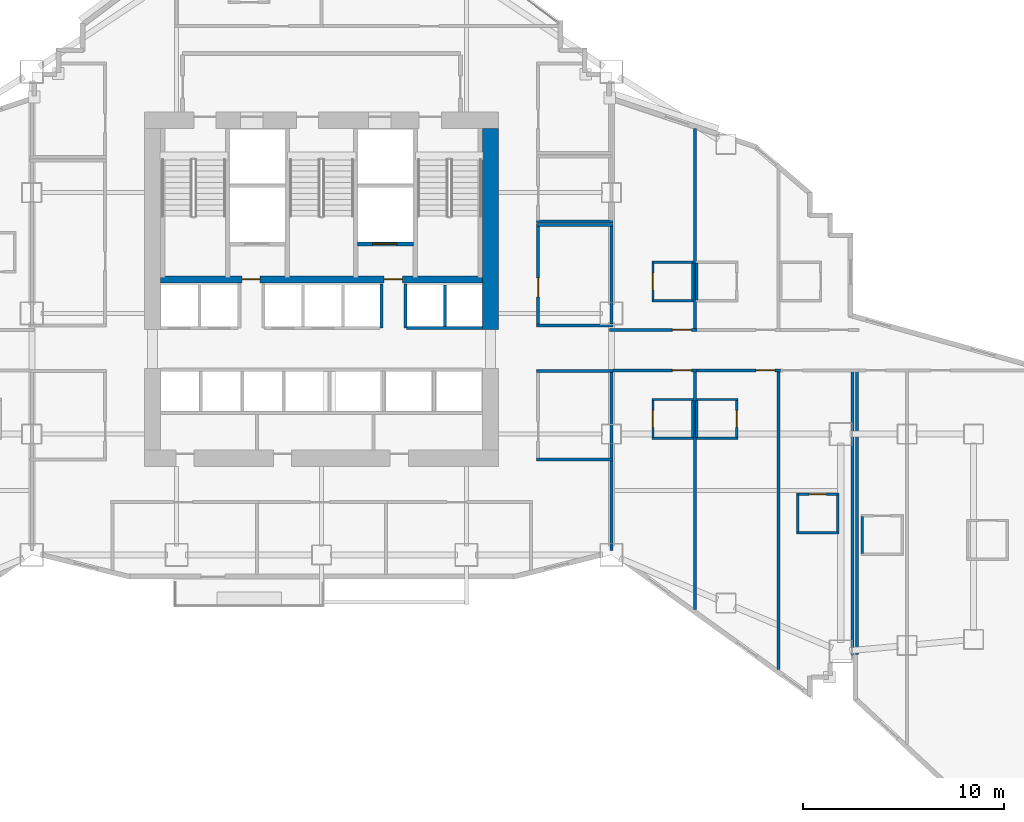
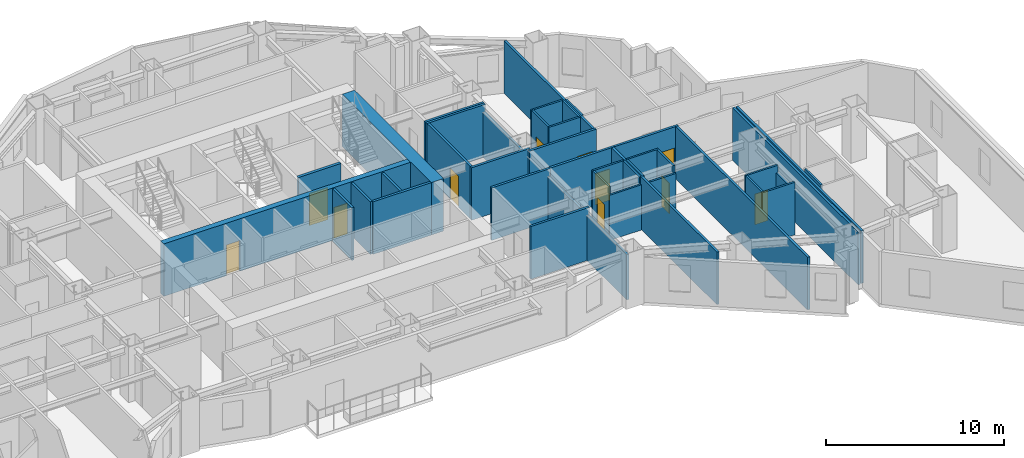
# One storey, part 10 of 16: 42 walls, 11 doors, 11 openings.
"""IFC4 building model written with IfcOpenShell, lengths in metres."""

from ifc_helpers import new_model, si_unit, direction, frame, frame_2d, origin, place, context, subcontext, project, spatial, rectangle, extrude, material, layer, layer_set, type_object, element, fill, save


model = new_model("IFC4")

# Units and contexts
model_context = context("Model", 3, precision=1e-05, world=origin(), true_north=direction((0.0, 1.0)))
body_context = subcontext(model_context, "Body", "Model", "MODEL_VIEW")
ifc_project = project(units=[si_unit("LENGTHUNIT", "METRE"), si_unit("AREAUNIT", "SQUARE_METRE"), si_unit("VOLUMEUNIT", "CUBIC_METRE"), si_unit("PLANEANGLEUNIT", "RADIAN"), si_unit("MASSUNIT", "GRAM", prefix="KILO")], contexts=[model_context])

# Site, building, storey
site_placement = place(None, origin())
site = spatial("IfcSite", under=ifc_project, at=site_placement, CompositionType="ELEMENT")
building_placement = place(site_placement, origin())
building = spatial("IfcBuilding", under=site, at=building_placement, Name="Haolan Belvedere Tower", CompositionType="ELEMENT")
storey_placement = place(building_placement, frame((0.0, 0.0, 78.0)))
storey = spatial("IfcBuildingStorey", under=building, at=storey_placement, Name="L19", CompositionType="ELEMENT", Elevation=78.0)

# Walls
ifc_material_1 = material(Name="Concrete C70/85", Category="concrete")
ifc_layer_1 = layer(ifc_material_1, 0.800048828125, Name="Concrete C70/85")
ifc_layer_set_1 = layer_set([ifc_layer_1], Name="Concrete C70/85")
wall_type_1 = type_object("IfcWallType", Name="WL-CORE-800", PredefinedType="SHEAR", material=ifc_layer_set_1)
wall_1_placement = place(storey_placement, frame((46.800048828125, 32.800048828125, 0.0), z_axis=(0.0, 0.0, 1.0), x_axis=(0.0, 1.0, 0.0)))
element("IfcWall", 1, at=wall_1_placement, inside=storey, type_object=wall_type_1, Name="L19 central core shear wall EN", PredefinedType="SHEAR", context=body_context, shape_type="SweptSolid", body=[
    extrude(rectangle(XDim=10.0, YDim=0.800048828125, at=frame_2d((5.0, 0.0))), origin(), (0.0, 0.0, 1.0), 3.60009765625),
])
ifc_material_2 = material(Name="Double gypsum acoustic stud partition", Category="masonry")
ifc_layer_2 = layer(ifc_material_2, 0.14990234375, Name="Double gypsum acoustic stud partition")
ifc_layer_set_2 = layer_set([ifc_layer_2], Name="Double gypsum acoustic stud partition")
wall_type_2 = type_object("IfcWallType", Name="WL-PART-150", PredefinedType="PARTITIONING", material=ifc_layer_set_2)
for number, where, z_axis, x_axis, name in (
    (2, (49.080078125, 38.0, 0.0), (0.0, 0.0, 1.0), (1.0, 0.0, 0.0), "L19 interior partition IW-L19-BPN-N"),
    (3, (49.080078125, 33.0, 0.0), (0.0, 0.0, 1.0), (1.0, 0.0, 0.0), "L19 interior partition IW-L19-BPN-S"),
):
    element("IfcWall", number, at=place(storey_placement, frame(where, z_axis=z_axis, x_axis=x_axis)), inside=storey, type_object=wall_type_2, Name=name, PredefinedType="PARTITIONING", context=body_context, shape_type="SweptSolid", body=[
        extrude(rectangle(XDim=3.7998046875, YDim=0.14990234375, at=frame_2d((1.89990234375, 0.0))), origin(), (0.0, 0.0, 1.0), 3.60009765625),
    ])

# Wall, opening, door
wall_2_placement = place(storey_placement, frame((49.159912109375, 33.06005859375, 0.0), z_axis=(0.0, 0.0, 1.0), x_axis=(0.0, 1.0, 0.0)))
wall_2 = element("IfcWall", 4, at=wall_2_placement, inside=storey, type_object=wall_type_2, Name="L19 interior partition IW-L19-BPN-W", PredefinedType="PARTITIONING", context=body_context, shape_type="SweptSolid", body=[
    extrude(rectangle(XDim=4.8798828125, YDim=0.14990234375, at=frame_2d((2.43994140625, 0.0))), origin(), (0.0, 0.0, 1.0), 3.60009765625),
])
opening_1_placement = place(wall_2_placement, frame((1.360107421875, 0.0, 0.0)))
opening_1 = element("IfcOpeningElement", 5, at=opening_1_placement, cuts=wall_2, Name="Opening ID-03", PredefinedType="OPENING", context=body_context, shape_type="SweptSolid", body=[
    extrude(rectangle(XDim=0.949951171875, YDim=2.1201171875, at=frame_2d((0.47509765625, 1.06005859375))), frame((0.0, 0.0849609375, 0.0), z_axis=(0.0, -1.0, 0.0), x_axis=(1.0, 0.0, 0.0)), (0.0, 0.0, 1.0), 0.169921875),
])
ifc_material_3 = material(Name="Painted solid-core timber", Category="wood")
door_type_1 = type_object("IfcDoorType", Name="DR-INT-950", OperationType="NOTDEFINED", PredefinedType="DOOR", material=ifc_material_3)
door_1_placement = place(opening_1_placement, origin())
door_1 = element("IfcDoor", 6, at=door_1_placement, inside=storey, type_object=door_type_1, Name="L19 door ID-L19-BPN", OperationType="SINGLE_SWING_RIGHT", OverallHeight=2.1201171875, OverallWidth=0.949951171875, PredefinedType="DOOR", context=body_context, shape_type="SweptSolid", body=[
    extrude(rectangle(XDim=0.949951171875, YDim=2.1201171875, at=frame_2d((0.47509765625, 1.06005859375))), frame((0.0, 0.02490234375, 0.0), z_axis=(0.0, -1.0, 0.0), x_axis=(1.0, 0.0, 0.0)), (0.0, 0.0, 1.0), 0.050048828125),
])
fill(opening_1, door_1)

# Walls
wall_3_placement = place(storey_placement, frame((52.800048828125, 33.06005859375, 0.0), z_axis=(0.0, 0.0, 1.0), x_axis=(0.0, 1.0, 0.0)))
element("IfcWall", 7, at=wall_3_placement, inside=storey, type_object=wall_type_2, Name="L19 interior partition IW-L19-BPN-E", PredefinedType="PARTITIONING", context=body_context, shape_type="SweptSolid", body=[
    extrude(rectangle(XDim=4.8798828125, YDim=0.14990234375, at=frame_2d((2.43994140625, 0.0))), origin(), (0.0, 0.0, 1.0), 3.096923828125),
])
for number, where, z_axis, x_axis, name in (
    (8, (49.080078125, 38.159912109375, 0.0), (0.0, 0.0, 1.0), (1.0, 0.0, 0.0), "L19 interior partition IW-L19-AWC-S"),
    (9, (49.080078125, 30.72998046875, 0.0), (0.0, 0.0, 1.0), (1.0, 0.0, 0.0), "L19 interior partition IW-L19-PKTE-N"),
    (10, (49.080078125, 26.35009765625, 0.0), (0.0, 0.0, 1.0), (1.0, 0.0, 0.0), "L19 interior partition IW-L19-PKTE-S"),
):
    element("IfcWall", number, at=place(storey_placement, frame(where, z_axis=z_axis, x_axis=x_axis)), inside=storey, type_object=wall_type_2, Name=name, PredefinedType="PARTITIONING", context=body_context, shape_type="SweptSolid", body=[
        extrude(rectangle(XDim=3.7998046875, YDim=0.14990234375, at=frame_2d((1.89990234375, 0.0))), origin(), (0.0, 0.0, 1.0), 3.60009765625),
    ])
wall_4_placement = place(storey_placement, frame((52.800048828125, 26.409912109375, 0.0), z_axis=(0.0, 0.0, 1.0), x_axis=(0.0, 1.0, 0.0)))
element("IfcWall", 11, at=wall_4_placement, inside=storey, type_object=wall_type_2, Name="L19 interior partition IW-L19-PKTE-E", PredefinedType="PARTITIONING", context=body_context, shape_type="SweptSolid", body=[
    extrude(rectangle(XDim=4.260009765625, YDim=0.14990234375, at=frame_2d((2.1298828125, 0.0))), origin(), (0.0, 0.0, 1.0), 3.096923828125),
])

# Wall, opening, door
wall_5_placement = place(storey_placement, frame((52.699951171875, 32.780029296875, 0.0), z_axis=(0.0, 0.0, 1.0), x_axis=(1.0, 0.0, 0.0)))
wall_5 = element("IfcWall", 12, at=wall_5_placement, inside=storey, type_object=wall_type_2, Name="L19 interior partition IW-L19-T4N1-S", PredefinedType="PARTITIONING", context=body_context, shape_type="SweptSolid", body=[
    extrude(rectangle(XDim=4.35009765625, YDim=0.14990234375, at=frame_2d((2.175048828125, 0.0))), origin(), (0.0, 0.0, 1.0), 3.60009765625),
])
opening_2_placement = place(wall_5_placement, frame((3.1298828125, 0.0, 0.0)))
opening_2 = element("IfcOpeningElement", 13, at=opening_2_placement, cuts=wall_5, Name="Opening ID-02", PredefinedType="OPENING", context=body_context, shape_type="SweptSolid", body=[
    extrude(rectangle(XDim=0.949951171875, YDim=2.14990234375, at=frame_2d((0.47509765625, 1.074951171875))), frame((0.0, 0.0849609375, 0.0), z_axis=(0.0, -1.0, 0.0), x_axis=(1.0, 0.0, 0.0)), (0.0, 0.0, 1.0), 0.169921875),
])
ifc_material_4 = material(Name="Acoustic oak veneer fire-rated timber", Category="wood")
door_type_2 = type_object("IfcDoorType", Name="DR-GUEST-950", OperationType="NOTDEFINED", PredefinedType="DOOR", material=ifc_material_4)
door_2_placement = place(opening_2_placement, origin())
door_2 = element("IfcDoor", 14, at=door_2_placement, inside=storey, type_object=door_type_2, Name="L19 door ID-L19-T4N1-ENT", OperationType="SINGLE_SWING_LEFT", OverallHeight=2.14990234375, OverallWidth=0.949951171875, PredefinedType="DOOR", context=body_context, shape_type="SweptSolid", body=[
    extrude(rectangle(XDim=0.949951171875, YDim=2.14990234375, at=frame_2d((0.47509765625, 1.074951171875))), frame((0.0, 0.02490234375, 0.0), z_axis=(0.0, -1.0, 0.0), x_axis=(1.0, 0.0, 0.0)), (0.0, 0.0, 1.0), 0.050048828125),
])
fill(opening_2, door_2)

# Wall
wall_6_placement = place(storey_placement, frame((56.949951171875, 32.840087890625, 0.0), z_axis=(0.0, 0.0, 1.0), x_axis=(0.0, 1.0, 0.0)))
element("IfcWall", 15, at=wall_6_placement, inside=storey, type_object=wall_type_2, Name="L19 interior partition IW-L19-T4N1-E", PredefinedType="PARTITIONING", context=body_context, shape_type="SweptSolid", body=[
    extrude(rectangle(XDim=9.939453125, YDim=0.14990234375, at=frame_2d((4.9697265625, 0.0))), origin(), (0.0, 0.0, 1.0), 3.60009765625),
])

# Wall, opening, door
wall_7_placement = place(storey_placement, frame((52.882080078125, 30.77001953125, 0.0), z_axis=(0.0, 0.0, 1.0), x_axis=(1.0, 0.0, 0.0)))
wall_7 = element("IfcWall", 16, at=wall_7_placement, inside=storey, type_object=wall_type_2, Name="L19 interior partition IW-L19-T4S1-N", PredefinedType="PARTITIONING", context=body_context, shape_type="SweptSolid", body=[
    extrude(rectangle(XDim=4.16796875, YDim=0.14990234375, at=frame_2d((2.083984375, 0.0))), origin(), (0.0, 0.0, 1.0), 3.60009765625),
])
opening_3_placement = place(wall_7_placement, frame((3.904541015625, 0.0, 0.0), z_axis=(0.0, 0.0, 1.0), x_axis=(-1.0, 0.0, 0.0)))
opening_3 = element("IfcOpeningElement", 17, at=opening_3_placement, cuts=wall_7, Name="Opening ID-02", PredefinedType="OPENING", context=body_context, shape_type="SweptSolid", body=[
    extrude(rectangle(XDim=0.949951171875, YDim=2.14990234375, at=frame_2d((0.47509765625, 1.074951171875))), frame((0.0, 0.0849609375, 0.0), z_axis=(0.0, -1.0, 0.0), x_axis=(1.0, 0.0, 0.0)), (0.0, 0.0, 1.0), 0.169921875),
])
door_3_placement = place(opening_3_placement, origin())
door_3 = element("IfcDoor", 18, at=door_3_placement, inside=storey, type_object=door_type_2, Name="L19 door ID-L19-T4S1-ENT", OperationType="SINGLE_SWING_RIGHT", OverallHeight=2.14990234375, OverallWidth=0.949951171875, PredefinedType="DOOR", context=body_context, shape_type="SweptSolid", body=[
    extrude(rectangle(XDim=0.949951171875, YDim=2.14990234375, at=frame_2d((0.47509765625, 1.074951171875))), frame((0.0, 0.02490234375, 0.0), z_axis=(0.0, -1.0, 0.0), x_axis=(1.0, 0.0, 0.0)), (0.0, 0.0, 1.0), 0.050048828125),
])
fill(opening_3, door_3)

# Walls
wall_8_placement = place(storey_placement, frame((52.800048828125, 21.818603515625, 0.0), z_axis=(0.0, 0.0, 1.0), x_axis=(0.0, 1.0, 0.0)))
element("IfcWall", 19, at=wall_8_placement, inside=storey, type_object=wall_type_2, Name="L19 interior partition IW-L19-T4S1-W", PredefinedType="PARTITIONING", context=body_context, shape_type="SweptSolid", body=[
    extrude(rectangle(XDim=4.471435546875, YDim=0.14990234375, at=frame_2d((2.23583984375, 0.0))), origin(), (0.0, 0.0, 1.0), 3.096923828125),
])
wall_9_placement = place(storey_placement, frame((56.949951171875, 18.889404296875, 0.0), z_axis=(0.0, 0.0, 1.0), x_axis=(0.0, 1.0, 0.0)))
element("IfcWall", 20, at=wall_9_placement, inside=storey, type_object=wall_type_2, Name="L19 interior partition IW-L19-T4S1-E", PredefinedType="PARTITIONING", context=body_context, shape_type="SweptSolid", body=[
    extrude(rectangle(XDim=11.820556640625, YDim=0.14990234375, at=frame_2d((5.91015625, 0.0))), origin(), (0.0, 0.0, 1.0), 3.60009765625),
])

# Wall, opening, door
wall_10_placement = place(storey_placement, frame((57.052001953125, 30.77001953125, 0.0), z_axis=(0.0, 0.0, 1.0), x_axis=(1.0, 0.0, 0.0)))
wall_10 = element("IfcWall", 21, at=wall_10_placement, inside=storey, type_object=wall_type_2, Name="L19 interior partition IW-L19-T4S2-N", PredefinedType="PARTITIONING", context=body_context, shape_type="SweptSolid", body=[
    extrude(rectangle(XDim=4.14794921875, YDim=0.14990234375, at=frame_2d((2.073974609375, 0.0))), origin(), (0.0, 0.0, 1.0), 3.60009765625),
])
opening_4_placement = place(wall_10_placement, frame((3.88525390625, 0.0, 0.0), z_axis=(0.0, 0.0, 1.0), x_axis=(-1.0, 0.0, 0.0)))
opening_4 = element("IfcOpeningElement", 22, at=opening_4_placement, cuts=wall_10, Name="Opening ID-02", PredefinedType="OPENING", context=body_context, shape_type="SweptSolid", body=[
    extrude(rectangle(XDim=0.949951171875, YDim=2.14990234375, at=frame_2d((0.47509765625, 1.074951171875))), frame((0.0, 0.0849609375, 0.0), z_axis=(0.0, -1.0, 0.0), x_axis=(1.0, 0.0, 0.0)), (0.0, 0.0, 1.0), 0.169921875),
])
door_4_placement = place(opening_4_placement, origin())
door_4 = element("IfcDoor", 23, at=door_4_placement, inside=storey, type_object=door_type_2, Name="L19 door ID-L19-T4S2-ENT", OperationType="SINGLE_SWING_LEFT", OverallHeight=2.14990234375, OverallWidth=0.949951171875, PredefinedType="DOOR", context=body_context, shape_type="SweptSolid", body=[
    extrude(rectangle(XDim=0.949951171875, YDim=2.14990234375, at=frame_2d((0.47509765625, 1.074951171875))), frame((0.0, 0.02490234375, 0.0), z_axis=(0.0, -1.0, 0.0), x_axis=(1.0, 0.0, 0.0)), (0.0, 0.0, 1.0), 0.050048828125),
])
fill(opening_4, door_4)

# Walls
wall_11_placement = place(storey_placement, frame((61.10009765625, 15.9013671875, 0.0), z_axis=(0.0, 0.0, 1.0), x_axis=(0.0, 1.0, 0.0)))
element("IfcWall", 24, at=wall_11_placement, inside=storey, type_object=wall_type_2, Name="L19 interior partition IW-L19-T4S2-E", PredefinedType="PARTITIONING", context=body_context, shape_type="SweptSolid", body=[
    extrude(rectangle(XDim=14.80859375, YDim=0.14990234375, at=frame_2d((7.404296875, 0.0))), origin(), (0.0, 0.0, 1.0), 3.60009765625),
])
wall_12_placement = place(storey_placement, frame((65.0, 16.64208984375, 0.0), z_axis=(0.0, 0.0, 1.0), x_axis=(0.0, 1.0, 0.0)))
element("IfcWall", 25, at=wall_12_placement, inside=storey, type_object=wall_type_2, Name="L19 interior partition IW-L19-T4S3-E", PredefinedType="PARTITIONING", context=body_context, shape_type="SweptSolid", body=[
    extrude(rectangle(XDim=14.06787109375, YDim=0.14990234375, at=frame_2d((7.033935546875, 0.0))), origin(), (0.0, 0.0, 1.0), 3.60009765625),
])
wall_13_placement = place(storey_placement, frame((64.780029296875, 16.612060546875, 0.0), z_axis=(0.0, 0.0, 1.0), x_axis=(0.0, 1.0, 0.0)))
element("IfcWall", 26, at=wall_13_placement, inside=storey, type_object=wall_type_2, Name="L19 interior partition IW-L19-T5S1-W", PredefinedType="PARTITIONING", context=body_context, shape_type="SweptSolid", body=[
    extrude(rectangle(XDim=14.097900390625, YDim=0.14990234375, at=frame_2d((7.048828125, 0.0))), origin(), (0.0, 0.0, 1.0), 3.60009765625),
])
ifc_material_5 = material(Name="Gypsum fire shaftwall assembly", Category="masonry")
ifc_layer_3 = layer(ifc_material_5, 0.1650390625, Name="Gypsum fire shaftwall assembly")
ifc_layer_set_3 = layer_set([ifc_layer_3], Name="Gypsum fire shaftwall assembly")
wall_type_3 = type_object("IfcWallType", Name="WL-SHAFT-160", PredefinedType="SOLIDWALL", material=ifc_layer_set_3)
for number, where, z_axis, x_axis, name in (
    (27, (41.3701171875, 32.8798828125, 0.0), (0.0, 0.0, 1.0), (0.0, 1.0, 0.0), "L19 interior partition IW-L19-SVP-W-SV2"),
    (28, (42.570068359375, 32.8798828125, 0.0), (0.0, 0.0, 1.0), (0.0, 1.0, 0.0), "L19 interior partition IW-L19-SVP-E-SV2"),
):
    element("IfcWall", number, at=place(storey_placement, frame(where, z_axis=z_axis, x_axis=x_axis)), inside=storey, type_object=wall_type_3, Name=name, PredefinedType="SOLIDWALL", context=body_context, shape_type="SweptSolid", body=[
        extrude(rectangle(XDim=2.170166015625, YDim=0.14990234375, at=frame_2d((1.0849609375, 0.0))), origin(), (0.0, 0.0, 1.0), 3.60009765625),
    ])
wall_14_placement = place(storey_placement, frame((42.6298828125, 32.8798828125, 0.0), z_axis=(0.0, 0.0, 1.0), x_axis=(1.0, 0.0, 0.0)))
element("IfcWall", 29, at=wall_14_placement, inside=storey, type_object=wall_type_3, Name="L19 interior partition IW-L19-ROW-PN3", PredefinedType="SOLIDWALL", context=body_context, shape_type="SweptSolid", body=[
    extrude(rectangle(XDim=3.77001953125, YDim=0.159912109375, at=frame_2d((1.885009765625, 0.0))), origin(), (0.0, 0.0, 1.0), 3.60009765625),
])
wall_15_placement = place(storey_placement, frame((44.530029296875, 32.949951171875, 0.0), z_axis=(0.0, 0.0, 1.0), x_axis=(0.0, 1.0, 0.0)))
element("IfcWall", 30, at=wall_15_placement, inside=storey, type_object=wall_type_3, Name="L19 interior partition IW-L19-DIV-PH2", PredefinedType="SOLIDWALL", context=body_context, shape_type="SweptSolid", body=[
    extrude(rectangle(XDim=2.050048828125, YDim=0.14990234375, at=frame_2d((1.02490234375, 0.0))), origin(), (0.0, 0.0, 1.0), 3.60009765625),
])

# Wall, opening, door
ifc_material_6 = material(Name="Precast concrete C40/50", Category="concrete")
ifc_layer_4 = layer(ifc_material_6, 0.179931640625, Name="Precast concrete C40/50")
ifc_layer_set_4 = layer_set([ifc_layer_4], Name="Precast concrete C40/50")
wall_type_4 = type_object("IfcWallType", Name="WL-SHAFT-180", PredefinedType="SOLIDWALL", material=ifc_layer_set_4)
wall_16_placement = place(storey_placement, frame((40.195068359375, 37.050048828125, 0.0), z_axis=(0.0, 0.0, 1.0), x_axis=(1.0, 0.0, 0.0)))
wall_16 = element("IfcWall", 31, at=wall_16_placement, inside=storey, type_object=wall_type_4, Name="L19 interior partition IW-L19-SV2-S", PredefinedType="SOLIDWALL", context=body_context, shape_type="SweptSolid", body=[
    extrude(rectangle(XDim=2.77001953125, YDim=0.179931640625, at=frame_2d((1.385009765625, 0.0))), origin(), (0.0, 0.0, 1.0), 3.60009765625),
])
opening_5_placement = place(wall_16_placement, frame((1.945068359375, 0.0, 0.0), z_axis=(0.0, 0.0, 1.0), x_axis=(-1.0, 0.0, 0.0)))
opening_5 = element("IfcOpeningElement", 32, at=opening_5_placement, cuts=wall_16, Name="Opening LD-02", PredefinedType="OPENING", context=body_context, shape_type="SweptSolid", body=[
    extrude(rectangle(XDim=1.199951171875, YDim=2.199951171875, at=frame_2d((0.60009765625, 1.10009765625))), frame((0.0, 0.099853515625, 0.0), z_axis=(0.0, -1.0, 0.0), x_axis=(1.0, 0.0, 0.0)), (0.0, 0.0, 1.0), 0.199951171875),
])
ifc_material_7 = material(Name="Brushed champagne stainless steel 316L", Category="steel")
door_type_3 = type_object("IfcDoorType", Name="DR-LIFT-1200", OperationType="SLIDING_TO_RIGHT", PredefinedType="DOOR", material=ifc_material_7)
door_5_placement = place(opening_5_placement, origin())
door_5 = element("IfcDoor", 33, at=door_5_placement, inside=storey, type_object=door_type_3, Name="L19 door ID-L19-LD-SV2", OperationType="SLIDING_TO_RIGHT", OverallHeight=2.199951171875, OverallWidth=1.199951171875, PredefinedType="DOOR", context=body_context, shape_type="SweptSolid", body=[
    extrude(rectangle(XDim=1.199951171875, YDim=2.199951171875, at=frame_2d((0.60009765625, 1.10009765625))), frame((0.0, 0.02490234375, 0.0), z_axis=(0.0, -1.0, 0.0), x_axis=(1.0, 0.0, 0.0)), (0.0, 0.0, 1.0), 0.050048828125),
])
fill(opening_5, door_5)

# Wall, openings, doors
ifc_material_8 = material(Name="Concrete C60/75", Category="concrete")
ifc_layer_5 = layer(ifc_material_8, 0.360107421875, Name="Concrete C60/75")
ifc_layer_set_5 = layer_set([ifc_layer_5], Name="Concrete C60/75")
wall_type_5 = type_object("IfcWallType", Name="WL-WEB-350", PredefinedType="SHEAR", material=ifc_layer_set_5)
wall_17_placement = place(storey_placement, frame((30.39990234375, 35.2900390625, 0.0), z_axis=(0.0, 0.0, 1.0), x_axis=(1.0, 0.0, 0.0)))
wall_17 = element("IfcWall", 34, at=wall_17_placement, inside=storey, type_object=wall_type_5, Name="L19 central core internal shear web", PredefinedType="SHEAR", context=body_context, shape_type="SweptSolid", body=[
    extrude(rectangle(XDim=16.0, YDim=0.360107421875, at=frame_2d((8.0, 0.0))), origin(), (0.0, 0.0, 1.0), 3.60009765625),
])
opening_6_placement = place(wall_17_placement, frame((4.949951171875, 0.0, 0.0), z_axis=(0.0, 0.0, 1.0), x_axis=(-1.0, 0.0, 0.0)))
opening_6 = element("IfcOpeningElement", 35, at=opening_6_placement, cuts=wall_17, Name="Opening FD-05", PredefinedType="OPENING", context=body_context, shape_type="SweptSolid", body=[
    extrude(rectangle(XDim=0.89990234375, YDim=2.10009765625, at=frame_2d((0.449951171875, 1.050048828125))), frame((0.0, 0.18994140625, 0.0), z_axis=(0.0, -1.0, 0.0), x_axis=(1.0, 0.0, 0.0)), (0.0, 0.0, 1.0), 0.380126953125),
])
opening_7_placement = place(wall_17_placement, frame((12.010009765625, 0.0, 0.0), z_axis=(0.0, 0.0, 1.0), x_axis=(-1.0, 0.0, 0.0)))
opening_7 = element("IfcOpeningElement", 36, at=opening_7_placement, cuts=wall_17, Name="Opening FD-05", PredefinedType="OPENING", context=body_context, shape_type="SweptSolid", body=[
    extrude(rectangle(XDim=0.89990234375, YDim=2.10009765625, at=frame_2d((0.449951171875, 1.050048828125))), frame((0.0, 0.18994140625, 0.0), z_axis=(0.0, -1.0, 0.0), x_axis=(1.0, 0.0, 0.0)), (0.0, 0.0, 1.0), 0.380126953125),
])
ifc_material_9 = material(Name="Galvanised fire-rated steel", Category="steel")
door_type_4 = type_object("IfcDoorType", Name="DR-FD60-900", OperationType="NOTDEFINED", PredefinedType="DOOR", material=ifc_material_9)
door_6_placement = place(opening_6_placement, origin())
door_6 = element("IfcDoor", 37, at=door_6_placement, inside=storey, type_object=door_type_4, Name="L19 door CD-L19-SVL-SV1", OperationType="SINGLE_SWING_RIGHT", OverallHeight=2.10009765625, OverallWidth=0.89990234375, PredefinedType="DOOR", context=body_context, shape_type="SweptSolid", body=[
    extrude(rectangle(XDim=0.89990234375, YDim=2.10009765625, at=frame_2d((0.449951171875, 1.050048828125))), frame((0.0, 0.02490234375, 0.0), z_axis=(0.0, -1.0, 0.0), x_axis=(1.0, 0.0, 0.0)), (0.0, 0.0, 1.0), 0.050048828125),
])
fill(opening_6, door_6)
door_7_placement = place(opening_7_placement, origin())
door_7 = element("IfcDoor", 38, at=door_7_placement, inside=storey, type_object=door_type_4, Name="L19 door CD-L19-SVL-SV2", OperationType="SINGLE_SWING_RIGHT", OverallHeight=2.10009765625, OverallWidth=0.89990234375, PredefinedType="DOOR", context=body_context, shape_type="SweptSolid", body=[
    extrude(rectangle(XDim=0.89990234375, YDim=2.10009765625, at=frame_2d((0.449951171875, 1.050048828125))), frame((0.0, 0.02490234375, 0.0), z_axis=(0.0, -1.0, 0.0), x_axis=(1.0, 0.0, 0.0)), (0.0, 0.0, 1.0), 0.050048828125),
])
fill(opening_7, door_7)

# Walls
ifc_material_10 = material(Name="Moisture-resistant gypsum tile partition", Category="masonry")
ifc_layer_6 = layer(ifc_material_10, 0.1201171875, Name="Moisture-resistant gypsum tile partition")
ifc_layer_set_6 = layer_set([ifc_layer_6], Name="Moisture-resistant gypsum tile partition")
wall_type_6 = type_object("IfcWallType", Name="WL-WET-120", PredefinedType="PARTITIONING", material=ifc_layer_set_6)
for number, where, z_axis, x_axis, name in (
    (39, (54.81005859375, 36.14990234375, 0.0), (0.0, 0.0, 1.0), (1.0, 0.0, 0.0), "L19 interior partition IW-L19-T4N1-BN"),
    (40, (54.81005859375, 34.22998046875, 0.0), (0.0, 0.0, 1.0), (1.0, 0.0, 0.0), "L19 interior partition IW-L19-T4N1-BS"),
):
    element("IfcWall", number, at=place(storey_placement, frame(where, z_axis=z_axis, x_axis=x_axis)), inside=storey, type_object=wall_type_6, Name=name, PredefinedType="PARTITIONING", context=body_context, shape_type="SweptSolid", body=[
        extrude(rectangle(XDim=2.079833984375, YDim=0.1201171875, at=frame_2d((1.0400390625, 0.0))), origin(), (0.0, 0.0, 1.0), 3.60009765625),
    ])

# Wall, opening, door
wall_18_placement = place(storey_placement, frame((54.8701171875, 34.27490234375, 0.0), z_axis=(0.0, 0.0, 1.0), x_axis=(0.0, 1.0, 0.0)))
wall_18 = element("IfcWall", 41, at=wall_18_placement, inside=storey, type_object=wall_type_6, Name="L19 interior partition IW-L19-T4N1-BW", PredefinedType="PARTITIONING", context=body_context, shape_type="SweptSolid", body=[
    extrude(rectangle(XDim=1.830078125, YDim=0.1201171875, at=frame_2d((0.9150390625, 0.0))), origin(), (0.0, 0.0, 1.0), 3.60009765625),
])
opening_8_placement = place(wall_18_placement, frame((1.340087890625, 0.0, 0.0), z_axis=(0.0, 0.0, 1.0), x_axis=(-1.0, 0.0, 0.0)))
opening_8 = element("IfcOpeningElement", 42, at=opening_8_placement, cuts=wall_18, Name="Opening ID-05", PredefinedType="OPENING", context=body_context, shape_type="SweptSolid", body=[
    extrude(rectangle(XDim=0.85009765625, YDim=2.10009765625, at=frame_2d((0.425048828125, 1.050048828125))), frame((0.0, 0.070068359375, 0.0), z_axis=(0.0, -1.0, 0.0), x_axis=(1.0, 0.0, 0.0)), (0.0, 0.0, 1.0), 0.14013671875),
])
ifc_material_11 = material(Name="Moisture-resistant lacquered timber", Category="wood")
door_type_5 = type_object("IfcDoorType", Name="DR-BATH-850", OperationType="NOTDEFINED", PredefinedType="DOOR", material=ifc_material_11)
door_8_placement = place(opening_8_placement, origin())
door_8 = element("IfcDoor", 43, at=door_8_placement, inside=storey, type_object=door_type_5, Name="L19 door ID-L19-T4N1-BATH", OperationType="SINGLE_SWING_RIGHT", OverallHeight=2.10009765625, OverallWidth=0.85009765625, PredefinedType="DOOR", context=body_context, shape_type="SweptSolid", body=[
    extrude(rectangle(XDim=0.85009765625, YDim=2.10009765625, at=frame_2d((0.425048828125, 1.050048828125))), frame((0.0, 0.02490234375, 0.0), z_axis=(0.0, -1.0, 0.0), x_axis=(1.0, 0.0, 0.0)), (0.0, 0.0, 1.0), 0.050048828125),
])
fill(opening_8, door_8)

# Walls
for number, where, z_axis, x_axis, name in (
    (44, (56.85009765625, 34.27490234375, 0.0), (0.0, 0.0, 1.0), (0.0, 1.0, 0.0), "L19 interior partition IW-L19-T4N1-BE"),
    (45, (57.050048828125, 34.27490234375, 0.0), (0.0, 0.0, 1.0), (0.0, 1.0, 0.0), "L19 interior partition IW-L19-T4N2-BW"),
):
    element("IfcWall", number, at=place(storey_placement, frame(where, z_axis=z_axis, x_axis=x_axis)), inside=storey, type_object=wall_type_6, Name=name, PredefinedType="PARTITIONING", context=body_context, shape_type="SweptSolid", body=[
        extrude(rectangle(XDim=1.830078125, YDim=0.1201171875, at=frame_2d((0.9150390625, 0.0))), origin(), (0.0, 0.0, 1.0), 3.60009765625),
    ])
wall_19_placement = place(storey_placement, frame((54.81005859375, 29.320068359375, 0.0), z_axis=(0.0, 0.0, 1.0), x_axis=(1.0, 0.0, 0.0)))
element("IfcWall", 46, at=wall_19_placement, inside=storey, type_object=wall_type_6, Name="L19 interior partition IW-L19-T4S1-BN", PredefinedType="PARTITIONING", context=body_context, shape_type="SweptSolid", body=[
    extrude(rectangle(XDim=2.079833984375, YDim=0.1201171875, at=frame_2d((1.0400390625, 0.0))), origin(), (0.0, 0.0, 1.0), 3.60009765625),
])
wall_20_placement = place(storey_placement, frame((54.81005859375, 27.39990234375, 0.0), z_axis=(0.0, 0.0, 1.0), x_axis=(1.0, 0.0, 0.0)))
element("IfcWall", 47, at=wall_20_placement, inside=storey, type_object=wall_type_6, Name="L19 interior partition IW-L19-T4S1-BS", PredefinedType="PARTITIONING", context=body_context, shape_type="SweptSolid", body=[
    extrude(rectangle(XDim=2.079833984375, YDim=0.1201171875, at=frame_2d((1.0400390625, 0.0))), origin(), (0.0, 0.0, 1.0), 3.096923828125),
])

# Wall, opening, door
wall_21_placement = place(storey_placement, frame((54.8701171875, 27.445068359375, 0.0), z_axis=(0.0, 0.0, 1.0), x_axis=(0.0, 1.0, 0.0)))
wall_21 = element("IfcWall", 48, at=wall_21_placement, inside=storey, type_object=wall_type_6, Name="L19 interior partition IW-L19-T4S1-BW", PredefinedType="PARTITIONING", context=body_context, shape_type="SweptSolid", body=[
    extrude(rectangle(XDim=1.829833984375, YDim=0.1201171875, at=frame_2d((0.9150390625, 0.0))), origin(), (0.0, 0.0, 1.0), 3.60009765625),
])
opening_9_placement = place(wall_21_placement, frame((1.340087890625, 0.0, 0.0), z_axis=(0.0, 0.0, 1.0), x_axis=(-1.0, 0.0, 0.0)))
opening_9 = element("IfcOpeningElement", 49, at=opening_9_placement, cuts=wall_21, Name="Opening ID-05", PredefinedType="OPENING", context=body_context, shape_type="SweptSolid", body=[
    extrude(rectangle(XDim=0.85009765625, YDim=2.10009765625, at=frame_2d((0.425048828125, 1.050048828125))), frame((0.0, 0.070068359375, 0.0), z_axis=(0.0, -1.0, 0.0), x_axis=(1.0, 0.0, 0.0)), (0.0, 0.0, 1.0), 0.14013671875),
])
door_9_placement = place(opening_9_placement, origin())
door_9 = element("IfcDoor", 50, at=door_9_placement, inside=storey, type_object=door_type_5, Name="L19 door ID-L19-T4S1-BATH", OperationType="SINGLE_SWING_LEFT", OverallHeight=2.10009765625, OverallWidth=0.85009765625, PredefinedType="DOOR", context=body_context, shape_type="SweptSolid", body=[
    extrude(rectangle(XDim=0.85009765625, YDim=2.10009765625, at=frame_2d((0.425048828125, 1.050048828125))), frame((0.0, 0.02490234375, 0.0), z_axis=(0.0, -1.0, 0.0), x_axis=(1.0, 0.0, 0.0)), (0.0, 0.0, 1.0), 0.050048828125),
])
fill(opening_9, door_9)

# Walls
wall_22_placement = place(storey_placement, frame((56.85009765625, 27.445068359375, 0.0), z_axis=(0.0, 0.0, 1.0), x_axis=(0.0, 1.0, 0.0)))
element("IfcWall", 51, at=wall_22_placement, inside=storey, type_object=wall_type_6, Name="L19 interior partition IW-L19-T4S1-BE", PredefinedType="PARTITIONING", context=body_context, shape_type="SweptSolid", body=[
    extrude(rectangle(XDim=1.829833984375, YDim=0.1201171875, at=frame_2d((0.9150390625, 0.0))), origin(), (0.0, 0.0, 1.0), 3.60009765625),
])
wall_23_placement = place(storey_placement, frame((57.010009765625, 29.320068359375, 0.0), z_axis=(0.0, 0.0, 1.0), x_axis=(1.0, 0.0, 0.0)))
element("IfcWall", 52, at=wall_23_placement, inside=storey, type_object=wall_type_6, Name="L19 interior partition IW-L19-T4S2-BN", PredefinedType="PARTITIONING", context=body_context, shape_type="SweptSolid", body=[
    extrude(rectangle(XDim=2.080078125, YDim=0.1201171875, at=frame_2d((1.0400390625, 0.0))), origin(), (0.0, 0.0, 1.0), 3.60009765625),
])
wall_24_placement = place(storey_placement, frame((57.010009765625, 27.39990234375, 0.0), z_axis=(0.0, 0.0, 1.0), x_axis=(1.0, 0.0, 0.0)))
element("IfcWall", 53, at=wall_24_placement, inside=storey, type_object=wall_type_6, Name="L19 interior partition IW-L19-T4S2-BS", PredefinedType="PARTITIONING", context=body_context, shape_type="SweptSolid", body=[
    extrude(rectangle(XDim=2.080078125, YDim=0.1201171875, at=frame_2d((1.0400390625, 0.0))), origin(), (0.0, 0.0, 1.0), 3.096923828125),
])
wall_25_placement = place(storey_placement, frame((57.050048828125, 27.445068359375, 0.0), z_axis=(0.0, 0.0, 1.0), x_axis=(0.0, 1.0, 0.0)))
element("IfcWall", 54, at=wall_25_placement, inside=storey, type_object=wall_type_6, Name="L19 interior partition IW-L19-T4S2-BW", PredefinedType="PARTITIONING", context=body_context, shape_type="SweptSolid", body=[
    extrude(rectangle(XDim=1.829833984375, YDim=0.1201171875, at=frame_2d((0.9150390625, 0.0))), origin(), (0.0, 0.0, 1.0), 3.60009765625),
])

# Wall, opening, door
wall_26_placement = place(storey_placement, frame((59.030029296875, 27.445068359375, 0.0), z_axis=(0.0, 0.0, 1.0), x_axis=(0.0, 1.0, 0.0)))
wall_26 = element("IfcWall", 55, at=wall_26_placement, inside=storey, type_object=wall_type_6, Name="L19 interior partition IW-L19-T4S2-BE", PredefinedType="PARTITIONING", context=body_context, shape_type="SweptSolid", body=[
    extrude(rectangle(XDim=1.829833984375, YDim=0.1201171875, at=frame_2d((0.9150390625, 0.0))), origin(), (0.0, 0.0, 1.0), 3.60009765625),
])
opening_10_placement = place(wall_26_placement, frame((0.489990234375, 0.0, 0.0)))
opening_10 = element("IfcOpeningElement", 56, at=opening_10_placement, cuts=wall_26, Name="Opening ID-05", PredefinedType="OPENING", context=body_context, shape_type="SweptSolid", body=[
    extrude(rectangle(XDim=0.85009765625, YDim=2.10009765625, at=frame_2d((0.425048828125, 1.050048828125))), frame((0.0, 0.070068359375, 0.0), z_axis=(0.0, -1.0, 0.0), x_axis=(1.0, 0.0, 0.0)), (0.0, 0.0, 1.0), 0.14013671875),
])
door_10_placement = place(opening_10_placement, origin())
door_10 = element("IfcDoor", 57, at=door_10_placement, inside=storey, type_object=door_type_5, Name="L19 door ID-L19-T4S2-BATH", OperationType="SINGLE_SWING_RIGHT", OverallHeight=2.10009765625, OverallWidth=0.85009765625, PredefinedType="DOOR", context=body_context, shape_type="SweptSolid", body=[
    extrude(rectangle(XDim=0.85009765625, YDim=2.10009765625, at=frame_2d((0.425048828125, 1.050048828125))), frame((0.0, 0.02490234375, 0.0), z_axis=(0.0, -1.0, 0.0), x_axis=(1.0, 0.0, 0.0)), (0.0, 0.0, 1.0), 0.050048828125),
])
fill(opening_10, door_10)

wall_27_placement = place(storey_placement, frame((62.008056640625, 24.610107421875, 0.0), z_axis=(0.0, 0.0, 1.0), x_axis=(1.0, 0.0, 0.0)))
wall_27 = element("IfcWall", 58, at=wall_27_placement, inside=storey, type_object=wall_type_6, Name="L19 interior partition IW-L19-T4S3-BN", PredefinedType="PARTITIONING", context=body_context, shape_type="SweptSolid", body=[
    extrude(rectangle(XDim=2.099853515625, YDim=0.1201171875, at=frame_2d((1.0498046875, 0.0))), origin(), (0.0, 0.0, 1.0), 3.60009765625),
])
opening_11_placement = place(wall_27_placement, frame((1.47509765625, 0.0, 0.0), z_axis=(0.0, 0.0, 1.0), x_axis=(-1.0, 0.0, 0.0)))
opening_11 = element("IfcOpeningElement", 59, at=opening_11_placement, cuts=wall_27, Name="Opening ID-05", PredefinedType="OPENING", context=body_context, shape_type="SweptSolid", body=[
    extrude(rectangle(XDim=0.85009765625, YDim=2.10009765625, at=frame_2d((0.425048828125, 1.050048828125))), frame((0.0, 0.070068359375, 0.0), z_axis=(0.0, -1.0, 0.0), x_axis=(1.0, 0.0, 0.0)), (0.0, 0.0, 1.0), 0.14013671875),
])
door_11_placement = place(opening_11_placement, origin())
door_11 = element("IfcDoor", 60, at=door_11_placement, inside=storey, type_object=door_type_5, Name="L19 door ID-L19-T4S3-BATH", OperationType="SINGLE_SWING_LEFT", OverallHeight=2.10009765625, OverallWidth=0.85009765625, PredefinedType="DOOR", context=body_context, shape_type="SweptSolid", body=[
    extrude(rectangle(XDim=0.85009765625, YDim=2.10009765625, at=frame_2d((0.425048828125, 1.050048828125))), frame((0.0, 0.02490234375, 0.0), z_axis=(0.0, -1.0, 0.0), x_axis=(1.0, 0.0, 0.0)), (0.0, 0.0, 1.0), 0.050048828125),
])
fill(opening_11, door_11)

# Walls
wall_28_placement = place(storey_placement, frame((62.008056640625, 22.68994140625, 0.0), z_axis=(0.0, 0.0, 1.0), x_axis=(1.0, 0.0, 0.0)))
element("IfcWall", 61, at=wall_28_placement, inside=storey, type_object=wall_type_6, Name="L19 interior partition IW-L19-T4S3-BS", PredefinedType="PARTITIONING", context=body_context, shape_type="SweptSolid", body=[
    extrude(rectangle(XDim=2.099853515625, YDim=0.1201171875, at=frame_2d((1.0498046875, 0.0))), origin(), (0.0, 0.0, 1.0), 3.60009765625),
])
wall_29_placement = place(storey_placement, frame((62.068115234375, 22.735107421875, 0.0), z_axis=(0.0, 0.0, 1.0), x_axis=(0.0, 1.0, 0.0)))
element("IfcWall", 62, at=wall_29_placement, inside=storey, type_object=wall_type_6, Name="L19 interior partition IW-L19-T4S3-BW", PredefinedType="PARTITIONING", context=body_context, shape_type="SweptSolid", body=[
    extrude(rectangle(XDim=1.829833984375, YDim=0.1201171875, at=frame_2d((0.9150390625, 0.0))), origin(), (0.0, 0.0, 1.0), 3.60009765625),
])
wall_30_placement = place(storey_placement, frame((64.048095703125, 22.735107421875, 0.0), z_axis=(0.0, 0.0, 1.0), x_axis=(0.0, 1.0, 0.0)))
element("IfcWall", 63, at=wall_30_placement, inside=storey, type_object=wall_type_6, Name="L19 interior partition IW-L19-T4S3-BE", PredefinedType="PARTITIONING", context=body_context, shape_type="SweptSolid", body=[
    extrude(rectangle(XDim=1.829833984375, YDim=0.1201171875, at=frame_2d((0.9150390625, 0.0))), origin(), (0.0, 0.0, 1.0), 3.096923828125),
])
wall_31_placement = place(storey_placement, frame((65.26708984375, 21.666015625, 0.0), z_axis=(0.0, 0.0, 1.0), x_axis=(0.0, 1.0, 0.0)))
element("IfcWall", 64, at=wall_31_placement, inside=storey, type_object=wall_type_6, Name="L19 interior partition IW-L19-T5S1-BW", PredefinedType="PARTITIONING", context=body_context, shape_type="SweptSolid", body=[
    extrude(rectangle(XDim=1.830078125, YDim=0.1201171875, at=frame_2d((0.9150390625, 0.0))), origin(), (0.0, 0.0, 1.0), 3.60009765625),
])

save(model, "model.ifc")
